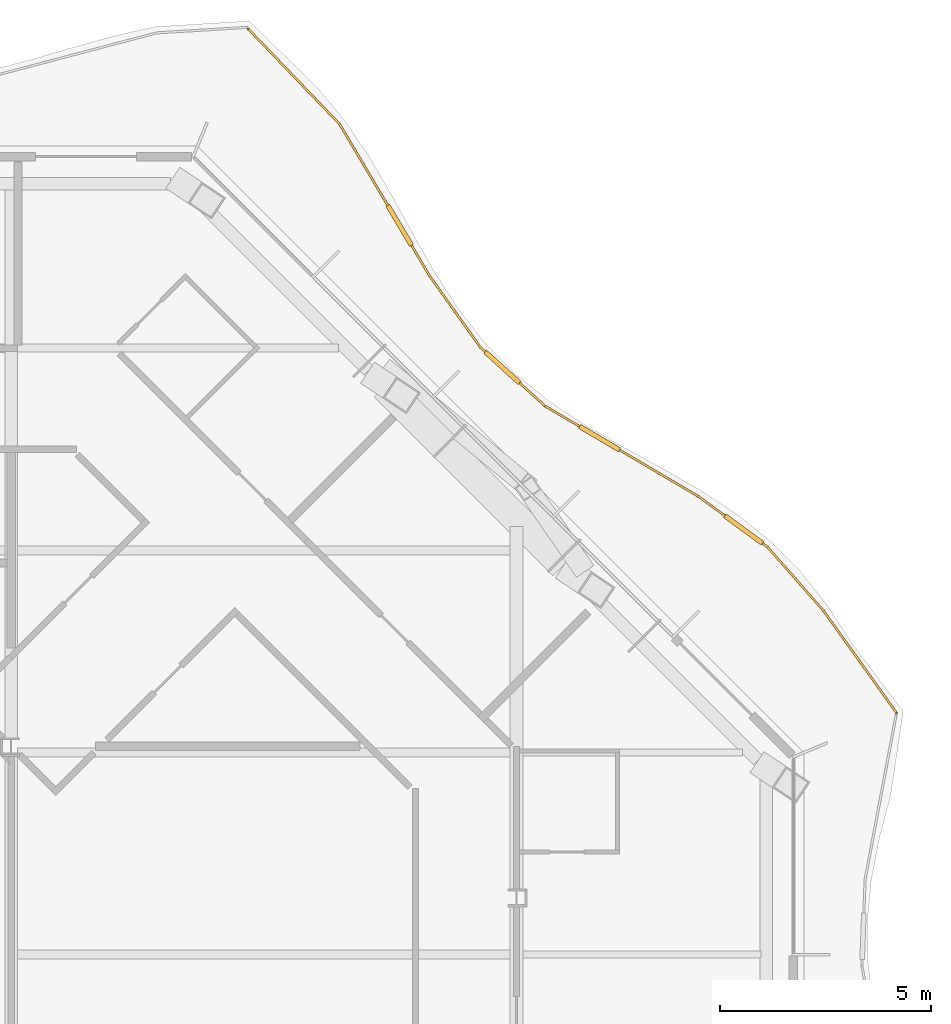
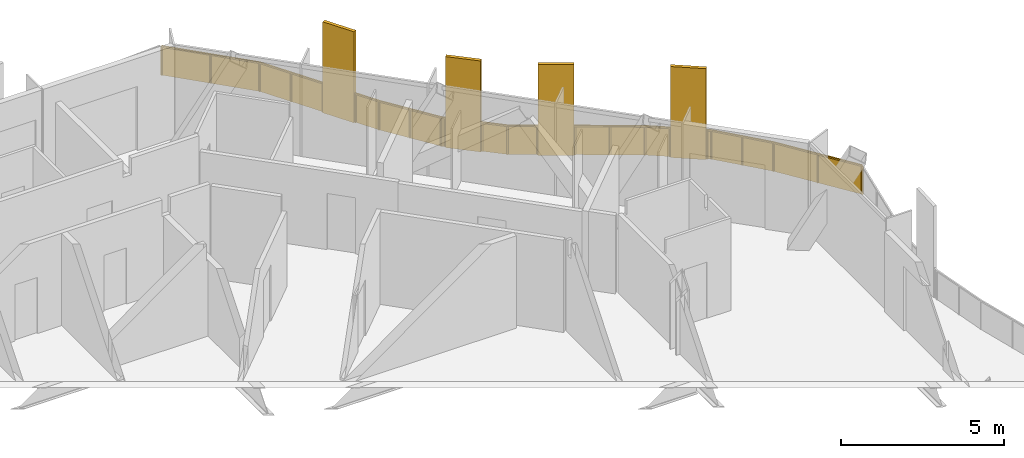
# One storey, part 21 of 21: 1 railing.
"""IFC4 building model written with IfcOpenShell, lengths in metres."""

from ifc_helpers import new_model, si_unit, direction, frame, origin, origin_2d, place, context, subcontext, project, spatial, polyline, rectangle, outline, extrude, material, type_object, element, save


model = new_model("IFC4")

# Units and contexts
model_context = context("Model", 3, precision=1e-05, world=origin(), true_north=direction((0.0, 1.0)))
body_context = subcontext(model_context, "Body", "Model", "MODEL_VIEW")
ifc_project = project(units=[si_unit("LENGTHUNIT", "METRE"), si_unit("AREAUNIT", "SQUARE_METRE"), si_unit("VOLUMEUNIT", "CUBIC_METRE"), si_unit("PLANEANGLEUNIT", "RADIAN"), si_unit("MASSUNIT", "GRAM", prefix="KILO")], contexts=[model_context])

# Site, building, storey
site_placement = place(None, origin())
site = spatial("IfcSite", under=ifc_project, at=site_placement, CompositionType="ELEMENT")
building_placement = place(site_placement, origin())
building = spatial("IfcBuilding", under=site, at=building_placement, Name="Cairn Pilgrim Tower", CompositionType="ELEMENT")
storey_placement = place(building_placement, frame((0.0, 0.0, 183.0)))
storey = spatial("IfcBuildingStorey", under=building, at=storey_placement, Name="L46", CompositionType="ELEMENT", Elevation=183.0)

# Railing
ifc_material = material(Name="Bronze anodised aluminium rail, posts and fin screens with laminated glass infill", Category="aluminium")
railing_type = type_object("IfcRailingType", Name="BALCONY GUARD WITH FIN SCREENS", PredefinedType="GUARDRAIL", material=ifc_material)
railing_placement = place(storey_placement, frame((40.22265625, 13.9912109375, 0.0)))
element("IfcRailing", 1, at=railing_placement, inside=storey, type_object=railing_type, Name="Balcony guard BGF-4 with fin screens", PredefinedType="GUARDRAIL", context=body_context, shape_type="SweptSolid", body=[
    extrude(rectangle(XDim=0.050048828125, YDim=0.050048828125, at=origin_2d()), frame((0.0, 0.0, 1.0751953125), z_axis=(-0.58181110119, 0.813323946858, 0.0), x_axis=(-0.813323946858, -0.58181110119, 0.0)), (0.0, 0.0, 1.0), 2.982177734375),
    extrude(rectangle(XDim=0.050048828125, YDim=0.050048828125, at=origin_2d()), frame((-1.735107421875, 2.425537109375, 1.0751953125), z_axis=(-0.659866191098, 0.751383131196, 0.0), x_axis=(-0.751383131196, -0.659866191098, 0.0)), (0.0, 0.0, 1.0), 2.016845703125),
    extrude(rectangle(XDim=1.10009765625, YDim=0.110107421875, at=origin_2d()), frame((-3.631103515625, 4.354248046875, 0.0), z_axis=(0.0, 0.0, 1.0), x_axis=(-0.807204426823, 0.590271982495, 0.0)), (0.0, 0.0, 1.0), 3.39990234375),
    extrude(rectangle(XDim=0.050048828125, YDim=0.050048828125, at=origin_2d()), frame((-3.06591796875, 3.94091796875, 1.0751953125), z_axis=(-0.807204426823, 0.590271982495, 0.0), x_axis=(-0.590271982495, -0.807204426823, 0.0)), (0.0, 0.0, 1.0), 0.150146484375),
    extrude(rectangle(XDim=0.050048828125, YDim=0.050048828125, at=origin_2d()), frame((-4.074951171875, 4.678955078125, 1.0751953125), z_axis=(-0.807204426823, 0.590271982495, 0.0), x_axis=(-0.590271982495, -0.807204426823, 0.0)), (0.0, 0.0, 1.0), 0.786865234375),
    extrude(rectangle(XDim=1.10009765625, YDim=0.110107421875, at=origin_2d()), frame((-7.051025390625, 6.521728515625, 0.0), z_axis=(0.0, 0.0, 1.0), x_axis=(-0.861710780568, 0.507399773998, 0.0)), (0.0, 0.0, 1.0), 3.39990234375),
    extrude(rectangle(XDim=0.050048828125, YDim=0.050048828125, at=origin_2d()), frame((-4.710205078125, 5.143310546875, 1.0751953125), z_axis=(-0.861710780568, 0.507399773998, 0.0), x_axis=(-0.507399773998, -0.861710780568, 0.0)), (0.0, 0.0, 1.0), 2.16650390625),
    extrude(rectangle(XDim=0.050048828125, YDim=0.050048828125, at=origin_2d()), frame((-7.52490234375, 6.80078125, 1.0751953125), z_axis=(-0.861710780568, 0.507399773998, 0.0), x_axis=(-0.507399773998, -0.861710780568, 0.0)), (0.0, 0.0, 1.0), 0.948486328125),
    extrude(rectangle(XDim=1.10009765625, YDim=0.110107421875, at=origin_2d()), frame((-9.357666015625, 8.202880859375, 0.0), z_axis=(0.0, 0.0, 1.0), x_axis=(-0.740697202152, 0.671839009529, 0.0)), (0.0, 0.0, 1.0), 3.39990234375),
    extrude(rectangle(XDim=0.050048828125, YDim=0.050048828125, at=origin_2d()), frame((-8.34228515625, 7.281982421875, 1.0751953125), z_axis=(-0.740697202152, 0.671839009529, 0.0), x_axis=(-0.671839009529, -0.740697202152, 0.0)), (0.0, 0.0, 1.0), 0.82080078125),
    extrude(rectangle(XDim=0.050048828125, YDim=0.050048828125, at=origin_2d()), frame((-9.764892578125, 8.572265625, 1.0751953125), z_axis=(-0.740697202152, 0.671839009529, 0.0), x_axis=(-0.671839009529, -0.740697202152, 0.0)), (0.0, 0.0, 1.0), 0.14990234375),
    extrude(rectangle(XDim=0.050048828125, YDim=0.050048828125, at=origin_2d()), frame((-9.8759765625, 8.673095703125, 1.0751953125), z_axis=(-0.579599729798, 0.814901315018, 0.0), x_axis=(-0.814901315018, -0.579599729798, 0.0)), (0.0, 0.0, 1.0), 2.087646484375),
    extrude(rectangle(XDim=1.10009765625, YDim=0.110107421875, at=origin_2d()), frame((-11.79833984375, 11.575439453125, 0.0), z_axis=(0.0, 0.0, 1.0), x_axis=(-0.510139130194, 0.860091895, 0.0)), (0.0, 0.0, 1.0), 3.39990234375),
    extrude(rectangle(XDim=0.050048828125, YDim=0.050048828125, at=origin_2d()), frame((-11.0859375, 10.374267578125, 1.0751953125), z_axis=(-0.510139130194, 0.860091895, 0.0), x_axis=(-0.860091895, -0.510139130194, 0.0)), (0.0, 0.0, 1.0), 0.846435546875),
    extrude(rectangle(XDim=0.050048828125, YDim=0.050048828125, at=origin_2d()), frame((-12.078857421875, 12.04833984375, 1.0751953125), z_axis=(-0.510139130194, 0.860091895, 0.0), x_axis=(-0.860091895, -0.510139130194, 0.0)), (0.0, 0.0, 1.0), 2.246337890625),
    extrude(rectangle(XDim=0.050048828125, YDim=0.050048828125, at=origin_2d()), frame((-13.224853515625, 13.98046875, 1.0751953125), z_axis=(-0.692683282075, 0.721241894744, 0.0), x_axis=(-0.721241894744, -0.692683282075, 0.0)), (0.0, 0.0, 1.0), 3.120361328125),
    extrude(rectangle(XDim=0.050048828125, YDim=0.050048828125, at=origin_2d()), origin(), (0.0, 0.0, 1.0), 1.050048828125),
    extrude(rectangle(XDim=0.050048828125, YDim=0.050048828125, at=origin_2d()), frame((-0.86767578125, 1.212890625, 0.0)), (0.0, 0.0, 1.0), 1.050048828125),
    extrude(rectangle(XDim=0.050048828125, YDim=0.050048828125, at=origin_2d()), frame((-1.735107421875, 2.425537109375, 0.0)), (0.0, 0.0, 1.0), 1.050048828125),
    extrude(rectangle(XDim=0.050048828125, YDim=0.050048828125, at=origin_2d()), frame((-2.400390625, 3.18310546875, 0.0)), (0.0, 0.0, 1.0), 1.050048828125),
    extrude(rectangle(XDim=0.050048828125, YDim=0.050048828125, at=origin_2d()), frame((-3.06591796875, 3.94091796875, 0.0)), (0.0, 0.0, 1.0), 1.050048828125),
    extrude(rectangle(XDim=0.050048828125, YDim=0.050048828125, at=origin_2d()), frame((-3.1669921875, 4.014892578125, 0.0)), (0.0, 0.0, 1.0), 1.050048828125),
    extrude(rectangle(XDim=0.050048828125, YDim=0.050048828125, at=origin_2d()), frame((-4.09521484375, 4.693603515625, 0.0)), (0.0, 0.0, 1.0), 1.050048828125),
    extrude(rectangle(XDim=0.050048828125, YDim=0.050048828125, at=origin_2d()), frame((-4.710205078125, 5.143310546875, 0.0)), (0.0, 0.0, 1.0), 1.050048828125),
    extrude(rectangle(XDim=0.050048828125, YDim=0.050048828125, at=origin_2d()), frame((-5.6328125, 5.6865234375, 0.0)), (0.0, 0.0, 1.0), 1.050048828125),
    extrude(rectangle(XDim=0.050048828125, YDim=0.050048828125, at=origin_2d()), frame((-6.5556640625, 6.22998046875, 0.0)), (0.0, 0.0, 1.0), 1.050048828125),
    extrude(rectangle(XDim=0.050048828125, YDim=0.050048828125, at=origin_2d()), frame((-7.546630859375, 6.8134765625, 0.0)), (0.0, 0.0, 1.0), 1.050048828125),
    extrude(rectangle(XDim=0.050048828125, YDim=0.050048828125, at=origin_2d()), frame((-8.34228515625, 7.281982421875, 0.0)), (0.0, 0.0, 1.0), 1.050048828125),
    extrude(rectangle(XDim=0.050048828125, YDim=0.050048828125, at=origin_2d()), frame((-8.931640625, 7.816650390625, 0.0)), (0.0, 0.0, 1.0), 1.050048828125),
    extrude(rectangle(XDim=0.050048828125, YDim=0.050048828125, at=origin_2d()), frame((-9.783447265625, 8.589111328125, 0.0)), (0.0, 0.0, 1.0), 1.050048828125),
    extrude(rectangle(XDim=0.050048828125, YDim=0.050048828125, at=origin_2d()), frame((-9.8759765625, 8.673095703125, 0.0)), (0.0, 0.0, 1.0), 1.050048828125),
    extrude(rectangle(XDim=0.050048828125, YDim=0.050048828125, at=origin_2d()), frame((-10.48095703125, 9.523681640625, 0.0)), (0.0, 0.0, 1.0), 1.050048828125),
    extrude(rectangle(XDim=0.050048828125, YDim=0.050048828125, at=origin_2d()), frame((-11.0859375, 10.374267578125, 0.0)), (0.0, 0.0, 1.0), 1.050048828125),
    extrude(rectangle(XDim=0.050048828125, YDim=0.050048828125, at=origin_2d()), frame((-11.5048828125, 11.080810546875, 0.0)), (0.0, 0.0, 1.0), 1.050048828125),
    extrude(rectangle(XDim=0.050048828125, YDim=0.050048828125, at=origin_2d()), frame((-12.091796875, 12.070068359375, 0.0)), (0.0, 0.0, 1.0), 1.050048828125),
    extrude(rectangle(XDim=0.050048828125, YDim=0.050048828125, at=origin_2d()), frame((-12.658203125, 13.025146484375, 0.0)), (0.0, 0.0, 1.0), 1.050048828125),
    extrude(rectangle(XDim=0.050048828125, YDim=0.050048828125, at=origin_2d()), frame((-13.224853515625, 13.98046875, 0.0)), (0.0, 0.0, 1.0), 1.050048828125),
    extrude(rectangle(XDim=0.050048828125, YDim=0.050048828125, at=origin_2d()), frame((-14.3056640625, 15.105712890625, 0.0)), (0.0, 0.0, 1.0), 1.050048828125),
    extrude(rectangle(XDim=0.050048828125, YDim=0.050048828125, at=origin_2d()), frame((-15.38623046875, 16.23095703125, 0.0)), (0.0, 0.0, 1.0), 1.050048828125),
    extrude(outline(polyline([(0.02490234375, 0.0), (1.466064453125, 0.0), (1.466064453125, 1.050048828125), (0.02490234375, 1.050048828125), (0.02490234375, 0.0)])), frame((-0.0048828125, -0.00341796875, 0.0), z_axis=(0.813323946858, 0.58181110119, 0.0), x_axis=(-0.58181110119, 0.813323946858, 0.0)), (0.0, 0.0, 1.0), 0.011962890625),
    extrude(outline(polyline([(0.02490234375, 0.0), (1.466064453125, 0.0), (1.466064453125, 1.050048828125), (0.02490234375, 1.050048828125), (0.02490234375, 0.0)])), frame((-0.872314453125, 1.209228515625, 0.0), z_axis=(0.813323946858, 0.58181110119, 0.0), x_axis=(-0.58181110119, 0.813323946858, 0.0)), (0.0, 0.0, 1.0), 0.011962890625),
    extrude(outline(polyline([(0.02490234375, 0.0), (0.9833984375, 0.0), (0.9833984375, 1.050048828125), (0.02490234375, 1.050048828125), (0.02490234375, 0.0)])), frame((-1.739501953125, 2.421630859375, 0.0), z_axis=(0.751383131196, 0.659866191098, 0.0), x_axis=(-0.659866191098, 0.751383131196, 0.0)), (0.0, 0.0, 1.0), 0.011962890625),
    extrude(outline(polyline([(0.02490234375, 0.0), (0.9833984375, 0.0), (0.9833984375, 1.050048828125), (0.02490234375, 1.050048828125), (0.02490234375, 0.0)])), frame((-2.405029296875, 3.17919921875, 0.0), z_axis=(0.751383131196, 0.659866191098, 0.0), x_axis=(-0.659866191098, 0.751383131196, 0.0)), (0.0, 0.0, 1.0), 0.011962890625),
    extrude(outline(polyline([(0.02490234375, 0.0), (0.10009765625, 0.0), (0.10009765625, 1.050048828125), (0.02490234375, 1.050048828125), (0.02490234375, 0.0)])), frame((-3.0693359375, 3.93603515625, 0.0), z_axis=(0.590271982495, 0.807204426823, 0.0), x_axis=(-0.807204426823, 0.590271982495, 0.0)), (0.0, 0.0, 1.0), 0.011962890625),
    extrude(outline(polyline([(0.02490234375, 0.0), (0.73681640625, 0.0), (0.73681640625, 1.050048828125), (0.02490234375, 1.050048828125), (0.02490234375, 0.0)])), frame((-4.098876953125, 4.688720703125, 0.0), z_axis=(0.590271982495, 0.807204426823, 0.0), x_axis=(-0.807204426823, 0.590271982495, 0.0)), (0.0, 0.0, 1.0), 0.011962890625),
    extrude(outline(polyline([(0.02490234375, 0.0), (1.045654296875, 0.0), (1.045654296875, 1.050048828125), (0.02490234375, 1.050048828125), (0.02490234375, 0.0)])), frame((-4.713134765625, 5.13818359375, 0.0), z_axis=(0.507399773998, 0.861710780568, 0.0), x_axis=(-0.861710780568, 0.507399773998, 0.0)), (0.0, 0.0, 1.0), 0.011962890625),
    extrude(outline(polyline([(0.02490234375, 0.0), (1.045654296875, 0.0), (1.045654296875, 1.050048828125), (0.02490234375, 1.050048828125), (0.02490234375, 0.0)])), frame((-5.635986328125, 5.681396484375, 0.0), z_axis=(0.507399773998, 0.861710780568, 0.0), x_axis=(-0.861710780568, 0.507399773998, 0.0)), (0.0, 0.0, 1.0), 0.011962890625),
    extrude(outline(polyline([(0.02490234375, 0.0), (0.8984375, 0.0), (0.8984375, 1.050048828125), (0.02490234375, 1.050048828125), (0.02490234375, 0.0)])), frame((-7.549560546875, 6.808349609375, 0.0), z_axis=(0.507399773998, 0.861710780568, 0.0), x_axis=(-0.861710780568, 0.507399773998, 0.0)), (0.0, 0.0, 1.0), 0.011962890625),
    extrude(outline(polyline([(0.02490234375, 0.0), (0.770751953125, 0.0), (0.770751953125, 1.050048828125), (0.02490234375, 1.050048828125), (0.02490234375, 0.0)])), frame((-8.34619140625, 7.277587890625, 0.0), z_axis=(0.671839009529, 0.740697202152, 0.0), x_axis=(-0.740697202152, 0.671839009529, 0.0)), (0.0, 0.0, 1.0), 0.011962890625),
    extrude(outline(polyline([(0.02490234375, 0.0), (0.099853515625, 0.0), (0.099853515625, 1.050048828125), (0.02490234375, 1.050048828125), (0.02490234375, 0.0)])), frame((-9.78759765625, 8.584716796875, 0.0), z_axis=(0.671839009529, 0.740697202152, 0.0), x_axis=(-0.740697202152, 0.671839009529, 0.0)), (0.0, 0.0, 1.0), 0.011962890625),
    extrude(outline(polyline([(0.02490234375, 0.0), (1.018798828125, 0.0), (1.018798828125, 1.050048828125), (0.02490234375, 1.050048828125), (0.02490234375, 0.0)])), frame((-9.880859375, 8.669677734375, 0.0), z_axis=(0.814901315018, 0.579599729798, 0.0), x_axis=(-0.579599729798, 0.814901315018, 0.0)), (0.0, 0.0, 1.0), 0.011962890625),
    extrude(outline(polyline([(0.02490234375, 0.0), (1.018798828125, 0.0), (1.018798828125, 1.050048828125), (0.02490234375, 1.050048828125), (0.02490234375, 0.0)])), frame((-10.48583984375, 9.520263671875, 0.0), z_axis=(0.814901315018, 0.579599729798, 0.0), x_axis=(-0.579599729798, 0.814901315018, 0.0)), (0.0, 0.0, 1.0), 0.011962890625),
    extrude(outline(polyline([(0.02490234375, 0.0), (0.79638671875, 0.0), (0.79638671875, 1.050048828125), (0.02490234375, 1.050048828125), (0.02490234375, 0.0)])), frame((-11.091064453125, 10.371337890625, 0.0), z_axis=(0.860091895, 0.510139130194, 0.0), x_axis=(-0.510139130194, 0.860091895, 0.0)), (0.0, 0.0, 1.0), 0.011962890625),
    extrude(outline(polyline([(0.02490234375, 0.0), (1.085693359375, 0.0), (1.085693359375, 1.050048828125), (0.02490234375, 1.050048828125), (0.02490234375, 0.0)])), frame((-12.096923828125, 12.06689453125, 0.0), z_axis=(0.860091895, 0.510139130194, 0.0), x_axis=(-0.510139130194, 0.860091895, 0.0)), (0.0, 0.0, 1.0), 0.011962890625),
    extrude(outline(polyline([(0.02490234375, 0.0), (1.085693359375, 0.0), (1.085693359375, 1.050048828125), (0.02490234375, 1.050048828125), (0.02490234375, 0.0)])), frame((-12.663330078125, 13.022216796875, 0.0), z_axis=(0.860091895, 0.510139130194, 0.0), x_axis=(-0.510139130194, 0.860091895, 0.0)), (0.0, 0.0, 1.0), 0.011962890625),
    extrude(outline(polyline([(0.02490234375, 0.0), (1.53515625, 0.0), (1.53515625, 1.050048828125), (0.02490234375, 1.050048828125), (0.02490234375, 0.0)])), frame((-13.229248046875, 13.976318359375, 0.0), z_axis=(0.721241894744, 0.692683282075, 0.0), x_axis=(-0.692683282075, 0.721241894744, 0.0)), (0.0, 0.0, 1.0), 0.011962890625),
    extrude(outline(polyline([(0.02490234375, 0.0), (1.53515625, 0.0), (1.53515625, 1.050048828125), (0.02490234375, 1.050048828125), (0.02490234375, 0.0)])), frame((-14.309814453125, 15.1015625, 0.0), z_axis=(0.721241894744, 0.692683282075, 0.0), x_axis=(-0.692683282075, 0.721241894744, 0.0)), (0.0, 0.0, 1.0), 0.011962890625),
])

save(model, "model.ifc")
